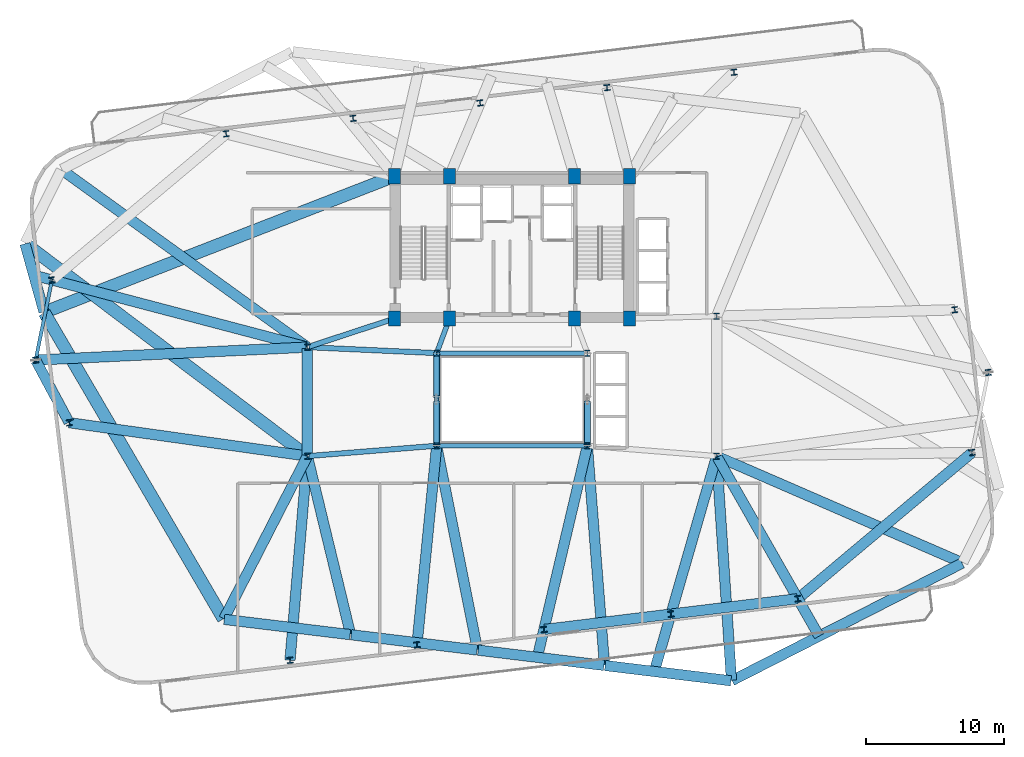
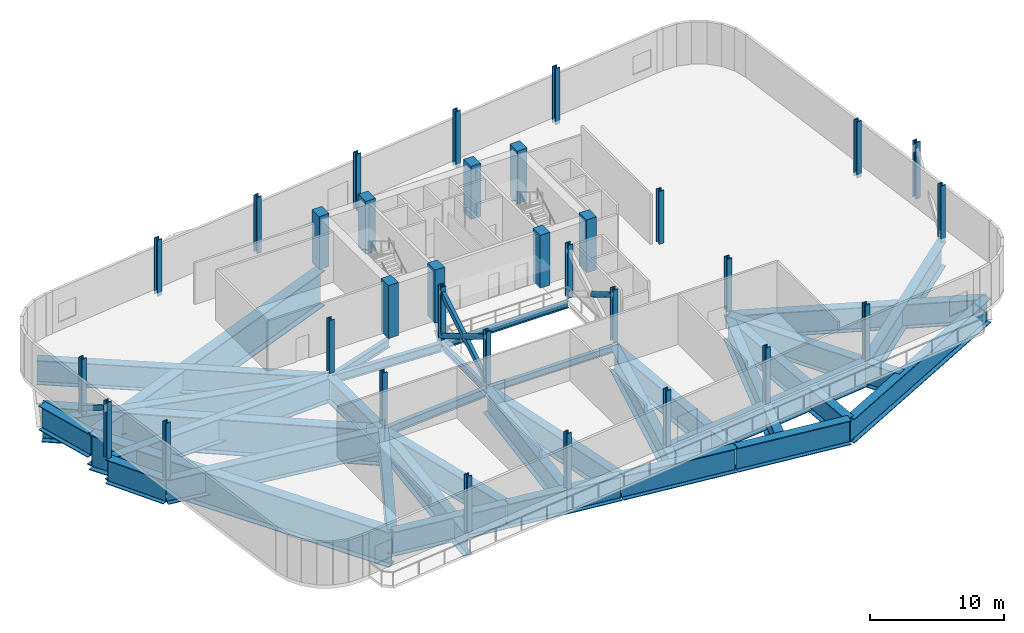
# One storey, part 1 of 11: 36 beams, 32 columns, 5 members.
"""IFC4 building model written with IfcOpenShell, lengths in metres."""

from ifc_helpers import new_model, si_unit, direction, frame, origin, origin_2d, place, context, subcontext, project, spatial, rectangle, hollow_rectangle, hollow_circle, i_section, extrude, material, material_profile, profile_set, type_object, element, save


model = new_model("IFC4")

# Units and contexts
model_context = context("Model", 3, precision=1e-05, world=origin(), true_north=direction((0.0, 1.0)))
body_context = subcontext(model_context, "Body", "Model", "MODEL_VIEW")
ifc_project = project(units=[si_unit("LENGTHUNIT", "METRE"), si_unit("AREAUNIT", "SQUARE_METRE"), si_unit("VOLUMEUNIT", "CUBIC_METRE"), si_unit("PLANEANGLEUNIT", "RADIAN"), si_unit("MASSUNIT", "GRAM", prefix="KILO")], contexts=[model_context])

# Site, building, storey
site_placement = place(None, origin())
site = spatial("IfcSite", under=ifc_project, at=site_placement, CompositionType="ELEMENT")
building_placement = place(site_placement, origin())
building = spatial("IfcBuilding", under=site, at=building_placement, Name="Varnelok Gate Tower", CompositionType="ELEMENT")
storey_placement = place(building_placement, frame((0.0, 0.0, 162.39990234375)))
storey = spatial("IfcBuildingStorey", under=building, at=storey_placement, Name="L41", CompositionType="ELEMENT", Elevation=162.39990234375)

# Columns
ifc_material_1 = material(Name="Concrete C60/75", Category="concrete")
ifc_material_profile_1 = material_profile(ifc_material_1, rectangle(XDim=0.85009765625, YDim=1.10009765625, at=origin_2d()), Name="RC1100X850")
ifc_profile_set_1 = profile_set([ifc_material_profile_1], Name="Concrete C60/75")
column_type_1 = type_object("IfcColumnType", Name="COL-RC1100X850", PredefinedType="COLUMN", material=ifc_profile_set_1)
for number, where, z_axis, x_axis, name in (
    (1, (30.699951171875, 28.75, 0.0), (0.0, 0.0, 1.0), (1.0, 0.0, 0.0), "L41 Core Spine Column SC1"),
    (2, (34.679931640625, 28.75, 0.0), (0.0, 0.0, 1.0), (1.0, 0.0, 0.0), "L41 Core Spine Column SC2"),
    (3, (43.719970703125, 28.75, 0.0), (0.0, 0.0, 1.0), (1.0, 0.0, 0.0), "L41 Core Spine Column SC3"),
    (4, (47.699951171875, 28.75, 0.0), (0.0, 0.0, 1.0), (1.0, 0.0, 0.0), "L41 Core Spine Column SC4"),
    (5, (30.699951171875, 39.050048828125, 0.0), (0.0, 0.0, 1.0), (1.0, 0.0, 0.0), "L41 Core Spine Column SC5"),
    (6, (34.679931640625, 39.050048828125, 0.0), (0.0, 0.0, 1.0), (1.0, 0.0, 0.0), "L41 Core Spine Column SC6"),
    (7, (43.719970703125, 39.050048828125, 0.0), (0.0, 0.0, 1.0), (1.0, 0.0, 0.0), "L41 Core Spine Column SC7"),
    (8, (47.699951171875, 39.050048828125, 0.0), (0.0, 0.0, 1.0), (1.0, 0.0, 0.0), "L41 Core Spine Column SC8"),
):
    element("IfcColumn", number, at=place(storey_placement, frame(where, z_axis=z_axis, x_axis=x_axis)), inside=storey, type_object=column_type_1, Name=name, PredefinedType="COLUMN", context=body_context, shape_type="SweptSolid", body=[
        extrude(rectangle(XDim=0.85009765625, YDim=1.10009765625, at=origin_2d()), origin(), (0.0, 0.0, 1.0), 4.800048828125),
    ])
ifc_material_2 = material(Name="Structural Steel ASTM A992 Grade 50", Category="steel")
ifc_material_profile_2 = material_profile(ifc_material_2, i_section(OverallWidth=0.412109375, OverallDepth=0.43505859375, WebThickness=0.035888671875, FlangeThickness=0.057373046875, FilletRadius=0.02490234375, at=origin_2d()), Name="W14X311")
ifc_profile_set_2 = profile_set([ifc_material_profile_2], Name="Structural Steel ASTM A992 Grade 50")
column_type_2 = type_object("IfcColumnType", Name="COL-W14X311", PredefinedType="COLUMN", material=ifc_profile_set_2)
for number, where, z_axis, x_axis, name in (
    (9, (23.142578125, 4.032958984375, -0.31982421875), (0.0, 0.0, 1.0), (0.992732158755, 0.12034475881, 0.0), "L41 B4 Perimeter Column PC01"),
    (10, (32.325439453125, 5.146240234375, -0.31982421875), (0.0, 0.0, 1.0), (0.992732158755, 0.12034475881, 0.0), "L41 B4 Perimeter Column PC02"),
    (11, (41.50830078125, 6.259521484375, -0.31982421875), (0.0, 0.0, 1.0), (0.992732158755, 0.12034475881, 0.0), "L41 B4 Perimeter Column PC03"),
    (12, (50.69091796875, 7.37255859375, -0.31982421875), (0.0, 0.0, 1.0), (0.992732158755, 0.12034475881, 0.0), "L41 B4 Perimeter Column PC04"),
    (13, (59.873779296875, 8.48583984375, -0.31982421875), (0.0, 0.0, 1.0), (0.992732158755, 0.12034475881, 0.0), "L41 B4 Perimeter Column PC05"),
    (14, (72.476806640625, 19.059326171875, -0.31982421875), (0.0, 0.0, 1.0), (0.992732158755, 0.12034475881, 0.0), "L41 B4 Perimeter Column PC06"),
    (15, (73.654296875, 24.85302734375, -0.31982421875), (0.0, 0.0, 1.0), (0.992732158755, 0.12034475881, 0.0), "L41 B4 Perimeter Column PC07"),
    (16, (71.225341796875, 29.3837890625, -0.31982421875), (0.0, 0.0, 1.0), (0.992732158755, 0.12034475881, 0.0), "L41 B4 Perimeter Column PC08"),
    (17, (55.25732421875, 46.56689453125, -0.31982421875), (0.0, 0.0, 1.0), (0.992732158755, 0.12034475881, 0.0), "L41 B4 Perimeter Column PC09"),
    (18, (46.07470703125, 45.453857421875, -0.31982421875), (0.0, 0.0, 1.0), (0.992732158755, 0.12034475881, 0.0), "L41 B4 Perimeter Column PC10"),
    (19, (36.891845703125, 44.340576171875, -0.31982421875), (0.0, 0.0, 1.0), (0.992732158755, 0.12034475881, 0.0), "L41 B4 Perimeter Column PC11"),
    (20, (27.708984375, 43.227294921875, -0.31982421875), (0.0, 0.0, 1.0), (0.992732158755, 0.12034475881, 0.0), "L41 B4 Perimeter Column PC12"),
    (21, (18.526123046875, 42.1142578125, -0.31982421875), (0.0, 0.0, 1.0), (0.992732158755, 0.12034475881, 0.0), "L41 B4 Perimeter Column PC13"),
    (22, (5.923095703125, 31.540771484375, -0.31982421875), (0.0, 0.0, 1.0), (0.992732158755, 0.12034475881, 0.0), "L41 B4 Perimeter Column PC14"),
    (23, (4.745849609375, 25.746826171875, -0.31982421875), (0.0, 0.0, 1.0), (0.992732158755, 0.12034475881, 0.0), "L41 B4 Perimeter Column PC15"),
    (24, (7.1748046875, 21.21630859375, -0.31982421875), (0.0, 0.0, 1.0), (0.992732158755, 0.12034475881, 0.0), "L41 B4 Perimeter Column PC16"),
):
    element("IfcColumn", number, at=place(storey_placement, frame(where, z_axis=z_axis, x_axis=x_axis)), inside=storey, type_object=column_type_2, Name=name, PredefinedType="COLUMN", context=body_context, shape_type="SweptSolid", body=[
        extrude(i_section(OverallWidth=0.412109375, OverallDepth=0.43505859375, WebThickness=0.035888671875, FlangeThickness=0.057373046875, FilletRadius=0.02490234375, at=origin_2d()), origin(), (0.0, 0.0, 1.0), 5.119873046875),
    ])
ifc_material_profile_3 = material_profile(ifc_material_2, i_section(OverallWidth=0.41796875, OverallDepth=0.455078125, WebThickness=0.0419921875, FlangeThickness=0.067626953125, FilletRadius=0.02490234375, at=origin_2d()), Name="W14X370")
ifc_profile_set_3 = profile_set([ifc_material_profile_3], Name="Structural Steel ASTM A992 Grade 50")
column_type_3 = type_object("IfcColumnType", Name="COL-W14X370", PredefinedType="COLUMN", material=ifc_profile_set_3)
for number, where, z_axis, x_axis, name in (
    (25, (33.75, 19.550048828125, 0.0), (0.0, 0.0, 1.0), (1.0, 0.0, 0.0), "L41 Atrium Spine Column AC1"),
    (26, (44.64990234375, 19.550048828125, 0.0), (0.0, 0.0, 1.0), (1.0, 0.0, 0.0), "L41 Atrium Spine Column AC2"),
    (27, (33.75, 26.25, 0.0), (0.0, 0.0, 1.0), (1.0, 0.0, 0.0), "L41 Atrium Spine Column AC3"),
    (28, (44.64990234375, 26.25, 0.0), (0.0, 0.0, 1.0), (1.0, 0.0, 0.0), "L41 Atrium Spine Column AC4"),
    (29, (24.39990234375, 18.800048828125, 0.0), (0.0, 0.0, 1.0), (1.0, 0.0, 0.0), "L41 Wing Spine Column WS1"),
    (30, (24.39990234375, 26.679931640625, 0.0), (0.0, 0.0, 1.0), (1.0, 0.0, 0.0), "L41 Wing Spine Column WS2"),
    (31, (54.0, 18.800048828125, 0.0), (0.0, 0.0, 1.0), (1.0, 0.0, 0.0), "L41 Wing Spine Column ES1"),
    (32, (54.0, 28.919921875, 0.0), (0.0, 0.0, 1.0), (1.0, 0.0, 0.0), "L41 Wing Spine Column ES2"),
):
    element("IfcColumn", number, at=place(storey_placement, frame(where, z_axis=z_axis, x_axis=x_axis)), inside=storey, type_object=column_type_3, Name=name, PredefinedType="COLUMN", context=body_context, shape_type="SweptSolid", body=[
        extrude(i_section(OverallWidth=0.41796875, OverallDepth=0.455078125, WebThickness=0.0419921875, FlangeThickness=0.067626953125, FilletRadius=0.02490234375, at=origin_2d()), origin(), (0.0, 0.0, 1.0), 4.800048828125),
    ])

# Beams
ifc_material_profile_4 = material_profile(ifc_material_2, i_section(OverallWidth=0.35498046875, OverallDepth=0.696044921875, WebThickness=0.015380859375, FlangeThickness=0.02490234375, FilletRadius=0.02001953125, at=origin_2d()), Name="W27X146")
ifc_profile_set_4 = profile_set([ifc_material_profile_4], Name="Structural Steel ASTM A992 Grade 50")
beam_type_1 = type_object("IfcBeamType", Name="BM-PRI-W27X146", PredefinedType="BEAM", material=ifc_profile_set_4)
beam_1_placement = place(storey_placement, frame((33.791748046875, 26.362548828125, -0.66796875), z_axis=(0.348719329408, 0.937227202602, 0.0), x_axis=(-0.937227202602, 0.348719329408, 0.0)))
element("IfcBeam", 33, at=beam_1_placement, inside=storey, type_object=beam_type_1, Name="L41 Core-Atrium Spine Beam 12", PredefinedType="BEAM", context=body_context, shape_type="SweptSolid", body=[
    extrude(i_section(OverallWidth=0.35498046875, OverallDepth=0.696044921875, WebThickness=0.015380859375, FlangeThickness=0.02490234375, FilletRadius=0.02001953125, at=origin_2d()), origin(), (0.0, 0.0, 1.0), 2.42724609375),
])
ifc_material_profile_5 = material_profile(ifc_material_2, i_section(OverallWidth=0.381103515625, OverallDepth=0.77294921875, WebThickness=0.0166015625, FlangeThickness=0.027099609375, FilletRadius=0.02197265625, at=origin_2d()), Name="W30X173")
ifc_profile_set_5 = profile_set([ifc_material_profile_5], Name="Structural Steel ASTM A992 Grade 50")
beam_type_2 = type_object("IfcBeamType", Name="BM-PRI-W30X173", PredefinedType="BEAM", material=ifc_profile_set_5)
beam_2_placement = place(storey_placement, frame((24.51953125, 18.8095703125, -0.706298828125), z_axis=(0.996799206292, 0.07994587128, 0.0), x_axis=(-0.07994587128, 0.996799206292, 0.0)))
element("IfcBeam", 34, at=beam_2_placement, inside=storey, type_object=beam_type_2, Name="L41 Core-Atrium Spine Beam 14", PredefinedType="BEAM", context=body_context, shape_type="SweptSolid", body=[
    extrude(i_section(OverallWidth=0.381103515625, OverallDepth=0.77294921875, WebThickness=0.0166015625, FlangeThickness=0.027099609375, FilletRadius=0.02197265625, at=origin_2d()), origin(), (0.0, 0.0, 1.0), 9.14013671875),
])
beam_3_placement = place(storey_placement, frame((24.52001953125, 26.674560546875, -0.706298828125), z_axis=(0.99894427814, -0.045938319209, 0.0), x_axis=(0.045938319209, 0.99894427814, 0.0)))
element("IfcBeam", 35, at=beam_3_placement, inside=storey, type_object=beam_type_2, Name="L41 Core-Atrium Spine Beam 15", PredefinedType="BEAM", context=body_context, shape_type="SweptSolid", body=[
    extrude(i_section(OverallWidth=0.381103515625, OverallDepth=0.77294921875, WebThickness=0.0166015625, FlangeThickness=0.027099609375, FilletRadius=0.02197265625, at=origin_2d()), origin(), (0.0, 0.0, 1.0), 9.11962890625),
])
beam_4_placement = place(storey_placement, frame((24.513916015625, 26.717529296875, -0.706298828125), z_axis=(0.950041943788, 0.312122259768, 0.0), x_axis=(-0.312122259768, 0.950041943788, 0.0)))
element("IfcBeam", 36, at=beam_4_placement, inside=storey, type_object=beam_type_2, Name="L41 Core-Atrium Spine Beam 17", PredefinedType="BEAM", context=body_context, shape_type="SweptSolid", body=[
    extrude(i_section(OverallWidth=0.381103515625, OverallDepth=0.77294921875, WebThickness=0.0166015625, FlangeThickness=0.027099609375, FilletRadius=0.02197265625, at=origin_2d()), origin(), (0.0, 0.0, 1.0), 6.391357421875),
])
ifc_material_profile_6 = material_profile(ifc_material_2, i_section(OverallWidth=0.323974609375, OverallDepth=0.611083984375, WebThickness=0.0126953125, FlangeThickness=0.01904296875, FilletRadius=0.01806640625, at=origin_2d()), Name="W24X104")
ifc_profile_set_6 = profile_set([ifc_material_profile_6], Name="Structural Steel ASTM A992 Grade 50")
beam_type_3 = type_object("IfcBeamType", Name="BM-SPN-W24X104", PredefinedType="SPANDREL", material=ifc_profile_set_6)
for number, where, z_axis, x_axis, name in (
    (37, (33.8701171875, 19.550048828125, -0.62548828125), (1.0, 0.0, 0.0), (0.0, 1.0, 0.0), "L41 Core-Atrium Spine Beam 8"),
    (38, (33.8701171875, 26.25, -0.62548828125), (1.0, 0.0, 0.0), (0.0, 1.0, 0.0), "L41 Core-Atrium Spine Beam 9"),
):
    element("IfcBeam", number, at=place(storey_placement, frame(where, z_axis=z_axis, x_axis=x_axis)), inside=storey, type_object=beam_type_3, Name=name, PredefinedType="SPANDREL", context=body_context, shape_type="SweptSolid", body=[
        extrude(i_section(OverallWidth=0.323974609375, OverallDepth=0.611083984375, WebThickness=0.0126953125, FlangeThickness=0.01904296875, FilletRadius=0.01806640625, at=origin_2d()), origin(), (0.0, 0.0, 1.0), 10.659912109375),
    ])
beam_5_placement = place(storey_placement, frame((33.75, 19.669921875, -0.62548828125), z_axis=(0.0, 1.0, 0.0), x_axis=(-1.0, 0.0, 0.0)))
element("IfcBeam", 39, at=beam_5_placement, inside=storey, type_object=beam_type_3, Name="L41 Core-Atrium Spine Beam 10", PredefinedType="SPANDREL", context=body_context, shape_type="SweptSolid", body=[
    extrude(i_section(OverallWidth=0.323974609375, OverallDepth=0.611083984375, WebThickness=0.0126953125, FlangeThickness=0.01904296875, FilletRadius=0.01806640625, at=origin_2d()), origin(), (0.0, 0.0, 1.0), 6.4599609375),
])
ifc_material_3 = material(Name="Structural Steel ASTM A572 Grade 50", Category="steel")
ifc_material_profile_7 = material_profile(ifc_material_3, i_section(OverallWidth=0.75, OverallDepth=2.199951171875, WebThickness=0.031982421875, FlangeThickness=0.06005859375, FilletRadius=0.028076171875, at=origin_2d()), Name="PG2200X750")
ifc_profile_set_7 = profile_set([ifc_material_profile_7], Name="Structural Steel ASTM A572 Grade 50")
beam_type_4 = type_object("IfcBeamType", Name="BM-TR-PG2200", PredefinedType="BEAM", material=ifc_profile_set_7)
beam_6_placement = place(storey_placement, frame((24.39990234375, 18.8798828125, -1.419921875), z_axis=(0.0, 1.0, 0.0), x_axis=(-1.0, 0.0, 0.0)))
element("IfcBeam", 40, at=beam_6_placement, inside=storey, type_object=beam_type_4, Name="L41 Wing Spine Transfer Header W", PredefinedType="BEAM", context=body_context, shape_type="SweptSolid", body=[
    extrude(i_section(OverallWidth=0.75, OverallDepth=2.199951171875, WebThickness=0.031982421875, FlangeThickness=0.06005859375, FilletRadius=0.028076171875, at=origin_2d()), origin(), (0.0, 0.0, 1.0), 7.72021484375),
])
beam_7_placement = place(storey_placement, frame((18.385498046875, 6.991943359375, -1.419921875), z_axis=(0.992729444446, -0.120367147219, 0.0), x_axis=(0.120367147219, 0.992729444446, 0.0)))
element("IfcBeam", 41, at=beam_7_placement, inside=storey, type_object=beam_type_4, Name="L41 Transfer Support Ring Girder 1", PredefinedType="BEAM", context=body_context, shape_type="SweptSolid", body=[
    extrude(i_section(OverallWidth=0.75, OverallDepth=2.199951171875, WebThickness=0.031982421875, FlangeThickness=0.06005859375, FilletRadius=0.028076171875, at=origin_2d()), origin(), (0.0, 0.0, 1.0), 9.169921875),
])
beam_8_placement = place(storey_placement, frame((27.568115234375, 5.878662109375, -1.419921875), z_axis=(0.992733011019, -0.120337728218, 0.0), x_axis=(0.120337728218, 0.992733011019, 0.0)))
element("IfcBeam", 42, at=beam_8_placement, inside=storey, type_object=beam_type_4, Name="L41 Transfer Support Ring Girder 2", PredefinedType="BEAM", context=body_context, shape_type="SweptSolid", body=[
    extrude(i_section(OverallWidth=0.75, OverallDepth=2.199951171875, WebThickness=0.031982421875, FlangeThickness=0.06005859375, FilletRadius=0.028076171875, at=origin_2d()), origin(), (0.0, 0.0, 1.0), 9.170166015625),
])
beam_9_placement = place(storey_placement, frame((36.7509765625, 4.765380859375, -1.419921875), z_axis=(0.992732625466, -0.120340908818, 0.0), x_axis=(0.120340908818, 0.992732625466, 0.0)))
element("IfcBeam", 43, at=beam_9_placement, inside=storey, type_object=beam_type_4, Name="L41 Transfer Support Ring Girder 3", PredefinedType="BEAM", context=body_context, shape_type="SweptSolid", body=[
    extrude(i_section(OverallWidth=0.75, OverallDepth=2.199951171875, WebThickness=0.031982421875, FlangeThickness=0.06005859375, FilletRadius=0.028076171875, at=origin_2d()), origin(), (0.0, 0.0, 1.0), 9.169921875),
])
beam_10_placement = place(storey_placement, frame((45.93359375, 3.65234375, -1.419921875), z_axis=(0.992729830166, -0.120363965946, 0.0), x_axis=(0.120363965946, 0.992729830166, 0.0)))
element("IfcBeam", 44, at=beam_10_placement, inside=storey, type_object=beam_type_4, Name="L41 Transfer Support Ring Girder 4", PredefinedType="BEAM", context=body_context, shape_type="SweptSolid", body=[
    extrude(i_section(OverallWidth=0.75, OverallDepth=2.199951171875, WebThickness=0.031982421875, FlangeThickness=0.06005859375, FilletRadius=0.028076171875, at=origin_2d()), origin(), (0.0, 0.0, 1.0), 9.170166015625),
])
beam_11_placement = place(storey_placement, frame((55.1123046875, 2.56201171875, -1.419921875), z_axis=(0.890728514635, 0.454535711706, 0.0), x_axis=(-0.454535711706, 0.890728514635, 0.0)))
element("IfcBeam", 45, at=beam_11_placement, inside=storey, type_object=beam_type_4, Name="L41 Transfer Support Ring Girder 5", PredefinedType="BEAM", context=body_context, shape_type="SweptSolid", body=[
    extrude(i_section(OverallWidth=0.75, OverallDepth=2.199951171875, WebThickness=0.031982421875, FlangeThickness=0.06005859375, FilletRadius=0.028076171875, at=origin_2d()), origin(), (0.0, 0.0, 1.0), 18.68701171875),
])
beam_12_placement = place(storey_placement, frame((3.97509765625, 34.156494140625, -1.419921875), z_axis=(0.268359272172, -0.963318898932, 0.0), x_axis=(0.963318898932, 0.268359272172, 0.0)))
element("IfcBeam", 46, at=beam_12_placement, inside=storey, type_object=beam_type_4, Name="L41 Transfer Support Ring Girder 15", PredefinedType="BEAM", context=body_context, shape_type="SweptSolid", body=[
    extrude(i_section(OverallWidth=0.75, OverallDepth=2.199951171875, WebThickness=0.031982421875, FlangeThickness=0.06005859375, FilletRadius=0.028076171875, at=origin_2d()), origin(), (0.0, 0.0, 1.0), 5.103759765625),
])
beam_13_placement = place(storey_placement, frame((24.381591796875, 18.764404296875, -1.419921875), z_axis=(-0.45638130284, -0.88978430331, 0.0), x_axis=(0.88978430331, -0.45638130284, 0.0)))
element("IfcBeam", 47, at=beam_13_placement, inside=storey, type_object=beam_type_4, Name="L41 Radial Transfer Main Girder 1", PredefinedType="BEAM", context=body_context, shape_type="SweptSolid", body=[
    extrude(i_section(OverallWidth=0.75, OverallDepth=2.199951171875, WebThickness=0.031982421875, FlangeThickness=0.06005859375, FilletRadius=0.028076171875, at=origin_2d()), origin(), (0.0, 0.0, 1.0), 13.185302734375),
])
beam_14_placement = place(storey_placement, frame((24.409423828125, 18.760986328125, -1.419921875), z_axis=(0.235401658809, -0.97189817318, 0.0), x_axis=(0.97189817318, 0.235401658809, 0.0)))
element("IfcBeam", 48, at=beam_14_placement, inside=storey, type_object=beam_type_4, Name="L41 Radial Transfer Main Girder 2", PredefinedType="BEAM", context=body_context, shape_type="SweptSolid", body=[
    extrude(i_section(OverallWidth=0.75, OverallDepth=2.199951171875, WebThickness=0.031982421875, FlangeThickness=0.06005859375, FilletRadius=0.028076171875, at=origin_2d()), origin(), (0.0, 0.0, 1.0), 13.2099609375),
])
beam_15_placement = place(storey_placement, frame((33.7578125, 19.5107421875, -1.419921875), z_axis=(0.196457445288, -0.980512351881, 0.0), x_axis=(0.980512351881, 0.196457445288, 0.0)))
element("IfcBeam", 49, at=beam_15_placement, inside=storey, type_object=beam_type_4, Name="L41 Radial Transfer Main Girder 3", PredefinedType="BEAM", context=body_context, shape_type="SweptSolid", body=[
    extrude(i_section(OverallWidth=0.75, OverallDepth=2.199951171875, WebThickness=0.031982421875, FlangeThickness=0.06005859375, FilletRadius=0.028076171875, at=origin_2d()), origin(), (0.0, 0.0, 1.0), 14.993408203125),
])
beam_16_placement = place(storey_placement, frame((44.653076171875, 19.510009765625, -1.419921875), z_axis=(0.07803826383, -0.996950364551, 0.0), x_axis=(0.996950364551, 0.07803826383, 0.0)))
element("IfcBeam", 50, at=beam_16_placement, inside=storey, type_object=beam_type_4, Name="L41 Radial Transfer Main Girder 4", PredefinedType="BEAM", context=body_context, shape_type="SweptSolid", body=[
    extrude(i_section(OverallWidth=0.75, OverallDepth=2.199951171875, WebThickness=0.031982421875, FlangeThickness=0.06005859375, FilletRadius=0.028076171875, at=origin_2d()), origin(), (0.0, 0.0, 1.0), 15.861328125),
])
beam_17_placement = place(storey_placement, frame((54.002685546875, 18.760009765625, -1.419921875), z_axis=(0.066096205375, -0.99781325489, 0.0), x_axis=(0.99781325489, 0.066096205375, 0.0)))
element("IfcBeam", 51, at=beam_17_placement, inside=storey, type_object=beam_type_4, Name="L41 Radial Transfer Main Girder 5", PredefinedType="BEAM", context=body_context, shape_type="SweptSolid", body=[
    extrude(i_section(OverallWidth=0.75, OverallDepth=2.199951171875, WebThickness=0.031982421875, FlangeThickness=0.06005859375, FilletRadius=0.028076171875, at=origin_2d()), origin(), (0.0, 0.0, 1.0), 16.211669921875),
])
beam_18_placement = place(storey_placement, frame((54.03662109375, 18.7841796875, -1.419921875), z_axis=(0.917259824986, -0.398289358967, 0.0), x_axis=(0.398289358967, 0.917259824986, 0.0)))
element("IfcBeam", 52, at=beam_18_placement, inside=storey, type_object=beam_type_4, Name="L41 Radial Transfer Main Girder 6", PredefinedType="BEAM", context=body_context, shape_type="SweptSolid", body=[
    extrude(i_section(OverallWidth=0.75, OverallDepth=2.199951171875, WebThickness=0.031982421875, FlangeThickness=0.06005859375, FilletRadius=0.028076171875, at=origin_2d()), origin(), (0.0, 0.0, 1.0), 19.31787109375),
])
beam_19_placement = place(storey_placement, frame((24.36767578125, 26.703369140625, -1.419921875), z_axis=(-0.810780792558, 0.585349900845, 0.0), x_axis=(-0.585349900845, -0.810780792558, 0.0)))
element("IfcBeam", 53, at=beam_19_placement, inside=storey, type_object=beam_type_4, Name="L41 Radial Transfer Main Girder 14", PredefinedType="BEAM", context=body_context, shape_type="SweptSolid", body=[
    extrude(i_section(OverallWidth=0.75, OverallDepth=2.199951171875, WebThickness=0.031982421875, FlangeThickness=0.06005859375, FilletRadius=0.028076171875, at=origin_2d()), origin(), (0.0, 0.0, 1.0), 21.86572265625),
])
beam_20_placement = place(storey_placement, frame((24.3916015625, 18.700439453125, -1.419921875), z_axis=(-0.084848877184, -0.996393831796, 0.0), x_axis=(0.996393831796, -0.084848877184, 0.0)))
element("IfcBeam", 54, at=beam_20_placement, inside=storey, type_object=beam_type_4, Name="L41 Column Transfer Carrier Girder 1", PredefinedType="BEAM", context=body_context, shape_type="SweptSolid", body=[
    extrude(i_section(OverallWidth=0.75, OverallDepth=2.199951171875, WebThickness=0.031982421875, FlangeThickness=0.06005859375, FilletRadius=0.028076171875, at=origin_2d()), origin(), (0.0, 0.0, 1.0), 14.720458984375),
])
beam_21_placement = place(storey_placement, frame((33.740234375, 19.450439453125, -1.419921875), z_axis=(-0.098427391065, -0.995144235118, 0.0), x_axis=(0.995144235118, -0.098427391065, 0.0)))
element("IfcBeam", 55, at=beam_21_placement, inside=storey, type_object=beam_type_4, Name="L41 Column Transfer Carrier Girder 2", PredefinedType="BEAM", context=body_context, shape_type="SweptSolid", body=[
    extrude(i_section(OverallWidth=0.75, OverallDepth=2.199951171875, WebThickness=0.031982421875, FlangeThickness=0.06005859375, FilletRadius=0.028076171875, at=origin_2d()), origin(), (0.0, 0.0, 1.0), 14.3740234375),
])
beam_22_placement = place(storey_placement, frame((44.626953125, 19.45263671875, -1.419921875), z_axis=(-0.23004509505, -0.97317997012, 0.0), x_axis=(0.97317997012, -0.23004509505, 0.0)))
element("IfcBeam", 56, at=beam_22_placement, inside=storey, type_object=beam_type_4, Name="L41 Column Transfer Carrier Girder 3", PredefinedType="BEAM", context=body_context, shape_type="SweptSolid", body=[
    extrude(i_section(OverallWidth=0.75, OverallDepth=2.199951171875, WebThickness=0.031982421875, FlangeThickness=0.06005859375, FilletRadius=0.028076171875, at=origin_2d()), origin(), (0.0, 0.0, 1.0), 15.625),
])
beam_23_placement = place(storey_placement, frame((53.97216796875, 18.703857421875, -1.419921875), z_axis=(-0.27813420471, -0.960542224043, 0.0), x_axis=(0.960542224043, -0.27813420471, 0.0)))
element("IfcBeam", 57, at=beam_23_placement, inside=storey, type_object=beam_type_4, Name="L41 Column Transfer Carrier Girder 4", PredefinedType="BEAM", context=body_context, shape_type="SweptSolid", body=[
    extrude(i_section(OverallWidth=0.75, OverallDepth=2.199951171875, WebThickness=0.031982421875, FlangeThickness=0.06005859375, FilletRadius=0.028076171875, at=origin_2d()), origin(), (0.0, 0.0, 1.0), 16.11865234375),
])
beam_24_placement = place(storey_placement, frame((54.049560546875, 18.713134765625, -1.419921875), z_axis=(0.494861325529, -0.868971960708, 0.0), x_axis=(0.868971960708, 0.494861325529, 0.0)))
element("IfcBeam", 58, at=beam_24_placement, inside=storey, type_object=beam_type_4, Name="L41 Column Transfer Carrier Girder 5", PredefinedType="BEAM", context=body_context, shape_type="SweptSolid", body=[
    extrude(i_section(OverallWidth=0.75, OverallDepth=2.199951171875, WebThickness=0.031982421875, FlangeThickness=0.06005859375, FilletRadius=0.028076171875, at=origin_2d()), origin(), (0.0, 0.0, 1.0), 14.885009765625),
])
beam_25_placement = place(storey_placement, frame((24.30322265625, 26.705322265625, -1.419921875), z_axis=(-0.967095186452, 0.254414819422, 0.0), x_axis=(-0.254414819422, -0.967095186452, 0.0)))
element("IfcBeam", 59, at=beam_25_placement, inside=storey, type_object=beam_type_4, Name="L41 Column Transfer Carrier Girder 14", PredefinedType="BEAM", context=body_context, shape_type="SweptSolid", body=[
    extrude(i_section(OverallWidth=0.75, OverallDepth=2.199951171875, WebThickness=0.031982421875, FlangeThickness=0.06005859375, FilletRadius=0.028076171875, at=origin_2d()), origin(), (0.0, 0.0, 1.0), 20.365966796875),
])
beam_26_placement = place(storey_placement, frame((24.300048828125, 26.67529296875, -1.419921875), z_axis=(-0.998874646142, -0.047428275268, 0.0), x_axis=(0.047428275268, -0.998874646142, 0.0)))
element("IfcBeam", 60, at=beam_26_placement, inside=storey, type_object=beam_type_4, Name="L41 Column Transfer Carrier Girder 15", PredefinedType="BEAM", context=body_context, shape_type="SweptSolid", body=[
    extrude(i_section(OverallWidth=0.75, OverallDepth=2.199951171875, WebThickness=0.031982421875, FlangeThickness=0.06005859375, FilletRadius=0.028076171875, at=origin_2d()), origin(), (0.0, 0.0, 1.0), 19.576171875),
])
beam_27_placement = place(storey_placement, frame((24.301025390625, 18.81396484375, -1.419921875), z_axis=(-0.99030461006, 0.138912847838, 0.0), x_axis=(-0.138912847838, -0.99030461006, 0.0)))
element("IfcBeam", 61, at=beam_27_placement, inside=storey, type_object=beam_type_4, Name="L41 Column Transfer Carrier Girder 16", PredefinedType="BEAM", context=body_context, shape_type="SweptSolid", body=[
    extrude(i_section(OverallWidth=0.75, OverallDepth=2.199951171875, WebThickness=0.031982421875, FlangeThickness=0.06005859375, FilletRadius=0.028076171875, at=origin_2d()), origin(), (0.0, 0.0, 1.0), 17.2939453125),
])
beam_28_placement = place(storey_placement, frame((41.5478515625, 6.26416015625, -1.419921875), z_axis=(0.992729830166, 0.120363965946, 0.0), x_axis=(-0.120363965946, 0.992729830166, 0.0)))
element("IfcBeam", 62, at=beam_28_placement, inside=storey, type_object=beam_type_4, Name="L41 Upper Perimeter Transfer Ring 3", PredefinedType="BEAM", context=body_context, shape_type="SweptSolid", body=[
    extrude(i_section(OverallWidth=0.75, OverallDepth=2.199951171875, WebThickness=0.031982421875, FlangeThickness=0.06005859375, FilletRadius=0.028076171875, at=origin_2d()), origin(), (0.0, 0.0, 1.0), 9.170166015625),
])
beam_29_placement = place(storey_placement, frame((50.730712890625, 7.37744140625, -1.419921875), z_axis=(0.992732625466, 0.120340908818, 0.0), x_axis=(-0.120340908818, 0.992732625466, 0.0)))
element("IfcBeam", 63, at=beam_29_placement, inside=storey, type_object=beam_type_4, Name="L41 Upper Perimeter Transfer Ring 4", PredefinedType="BEAM", context=body_context, shape_type="SweptSolid", body=[
    extrude(i_section(OverallWidth=0.75, OverallDepth=2.199951171875, WebThickness=0.031982421875, FlangeThickness=0.06005859375, FilletRadius=0.028076171875, at=origin_2d()), origin(), (0.0, 0.0, 1.0), 9.169921875),
])
beam_30_placement = place(storey_placement, frame((59.904296875, 8.511474609375, -1.419921875), z_axis=(0.766097503556, 0.642724369419, 0.0), x_axis=(-0.642724369419, 0.766097503556, 0.0)))
element("IfcBeam", 64, at=beam_30_placement, inside=storey, type_object=beam_type_4, Name="L41 Upper Perimeter Transfer Ring 5", PredefinedType="BEAM", context=body_context, shape_type="SweptSolid", body=[
    extrude(i_section(OverallWidth=0.75, OverallDepth=2.199951171875, WebThickness=0.031982421875, FlangeThickness=0.06005859375, FilletRadius=0.028076171875, at=origin_2d()), origin(), (0.0, 0.0, 1.0), 16.371337890625),
])
beam_31_placement = place(storey_placement, frame((4.7646484375, 25.711669921875, -1.419921875), z_axis=(0.472485122348, -0.881338646128, 0.0), x_axis=(0.881338646128, 0.472485122348, 0.0)))
element("IfcBeam", 65, at=beam_31_placement, inside=storey, type_object=beam_type_4, Name="L41 Upper Perimeter Transfer Ring 15", PredefinedType="BEAM", context=body_context, shape_type="SweptSolid", body=[
    extrude(i_section(OverallWidth=0.75, OverallDepth=2.199951171875, WebThickness=0.031982421875, FlangeThickness=0.06005859375, FilletRadius=0.028076171875, at=origin_2d()), origin(), (0.0, 0.0, 1.0), 5.060791015625),
])
ifc_material_profile_8 = material_profile(ifc_material_3, i_section(OverallWidth=0.89990234375, OverallDepth=3.199951171875, WebThickness=0.0400390625, FlangeThickness=0.074951171875, FilletRadius=0.030029296875, at=origin_2d()), Name="PG3200X900")
ifc_profile_set_8 = profile_set([ifc_material_profile_8], Name="Structural Steel ASTM A572 Grade 50")
beam_type_5 = type_object("IfcBeamType", Name="BM-TR-PG3200", PredefinedType="BEAM", material=ifc_profile_set_8)
beam_32_placement = place(storey_placement, frame((5.375732421875, 29.1669921875, -1.919921875), z_axis=(0.504952639233, -0.863147051279, 0.0), x_axis=(0.863147051279, 0.504952639233, 0.0)))
element("IfcBeam", 66, at=beam_32_placement, inside=storey, type_object=beam_type_5, Name="L41 Transfer Support Ring Girder 16", PredefinedType="BEAM", context=body_context, shape_type="SweptSolid", body=[
    extrude(i_section(OverallWidth=0.89990234375, OverallDepth=3.199951171875, WebThickness=0.0400390625, FlangeThickness=0.074951171875, FilletRadius=0.030029296875, at=origin_2d()), origin(), (0.0, 0.0, 1.0), 25.6455078125),
])
beam_33_placement = place(storey_placement, frame((24.3681640625, 18.82421875, -1.919921875), z_axis=(-0.798722042432, 0.601700173619, 0.0), x_axis=(-0.601700173619, -0.798722042432, 0.0)))
element("IfcBeam", 67, at=beam_33_placement, inside=storey, type_object=beam_type_5, Name="L41 Radial Transfer Main Girder 15", PredefinedType="BEAM", context=body_context, shape_type="SweptSolid", body=[
    extrude(i_section(OverallWidth=0.89990234375, OverallDepth=3.199951171875, WebThickness=0.0400390625, FlangeThickness=0.074951171875, FilletRadius=0.030029296875, at=origin_2d()), origin(), (0.0, 0.0, 1.0), 25.505615234375),
])
beam_34_placement = place(storey_placement, frame((30.66259765625, 39.035400390625, -1.919921875), z_axis=(-0.932098773782, -0.362204190911, 0.0), x_axis=(0.362204190911, -0.932098773782, 0.0)))
element("IfcBeam", 68, at=beam_34_placement, inside=storey, type_object=beam_type_5, Name="L41 Radial Transfer Main Girder 16", PredefinedType="BEAM", context=body_context, shape_type="SweptSolid", body=[
    extrude(i_section(OverallWidth=0.89990234375, OverallDepth=3.199951171875, WebThickness=0.0400390625, FlangeThickness=0.074951171875, FilletRadius=0.030029296875, at=origin_2d()), origin(), (0.0, 0.0, 1.0), 27.110595703125),
])

# Members
ifc_material_4 = material(Name="Structural Steel ASTM A500 Grade C", Category="steel")
ifc_material_profile_9 = material_profile(ifc_material_4, hollow_rectangle(XDim=0.25, YDim=0.39990234375, WallThickness=0.01611328125, at=origin_2d()), Name="HSS400X250X16")
ifc_profile_set_9 = profile_set([ifc_material_profile_9], Name="Structural Steel ASTM A500 Grade C")
member_type_1 = type_object("IfcMemberType", Name="MEM-BLT-BRACE1", PredefinedType="BRACE", material=ifc_profile_set_9)
member_1_placement = place(storey_placement, frame((5.923095703125, 31.540771484375, 0.2001953125), z_axis=(-0.16491905085, -0.811667132885, 0.560355397994), x_axis=(0.979975738335, -0.199116931158, 0.0)))
element("IfcMember", 69, at=member_1_placement, inside=storey, type_object=member_type_1, Name="L41 Belt Truss Diagonal Brace 2", PredefinedType="BRACE", context=body_context, shape_type="SweptSolid", body=[
    extrude(hollow_rectangle(XDim=0.25, YDim=0.39990234375, WallThickness=0.01611328125, at=origin_2d()), origin(), (0.0, 0.0, 1.0), 7.138427734375),
])
ifc_material_profile_10 = material_profile(ifc_material_4, hollow_rectangle(XDim=0.300048828125, YDim=0.5, WallThickness=0.02001953125, at=origin_2d()), Name="HSS500X300X20")
ifc_profile_set_10 = profile_set([ifc_material_profile_10], Name="Structural Steel ASTM A500 Grade C")
member_type_2 = type_object("IfcMemberType", Name="MEM-OUT-BRACE1", PredefinedType="BRACE", material=ifc_profile_set_10)
member_2_placement = place(storey_placement, frame((33.75, 19.550048828125, 0.2001953125), z_axis=(0.0, 0.858619967627, 0.512612671705), x_axis=(-1.0, 0.0, 0.0)))
element("IfcMember", 70, at=member_2_placement, inside=storey, type_object=member_type_2, Name="L41 Plant Outrigger Diagonal 1", PredefinedType="BRACE", context=body_context, shape_type="SweptSolid", body=[
    extrude(hollow_rectangle(XDim=0.300048828125, YDim=0.5, WallThickness=0.02001953125, at=origin_2d()), origin(), (0.0, 0.0, 1.0), 7.80322265625),
])
ifc_material_profile_11 = material_profile(ifc_material_4, hollow_circle(Radius=0.228515625, WallThickness=0.02001953125, at=origin_2d()), Name="CHS457X20")
ifc_profile_set_11 = profile_set([ifc_material_profile_11], Name="Structural Steel ASTM A500 Grade C")
member_type_3 = type_object("IfcMemberType", Name="MEM-TRUSS-DIAG", PredefinedType="BRACE", material=ifc_profile_set_11)
for number, where, z_axis, x_axis, name in (
    (71, (33.75, 26.25, 0.2001953125), (0.0, -0.858625968147, 0.512602620773), (1.0, 0.0, 0.0), "L41 Plant Outrigger Counter-Diagonal 1A"),
    (72, (33.75, 22.711181640625, 2.31298828125), (0.0, -0.858625968147, 0.512602620773), (1.0, 0.0, 0.0), "L41 Plant Outrigger Counter-Diagonal 1B"),
    (73, (44.64990234375, 22.711181640625, 2.31298828125), (0.0, -0.858625968147, 0.512602620773), (1.0, 0.0, 0.0), "L41 Plant Outrigger Counter-Diagonal 2B"),
):
    element("IfcMember", number, at=place(storey_placement, frame(where, z_axis=z_axis, x_axis=x_axis)), inside=storey, type_object=member_type_3, Name=name, PredefinedType="BRACE", context=body_context, shape_type="SweptSolid", body=[
        extrude(hollow_circle(Radius=0.228515625, WallThickness=0.02001953125, at=origin_2d()), origin(), (0.0, 0.0, 1.0), 3.681640625),
    ])

save(model, "model.ifc")
